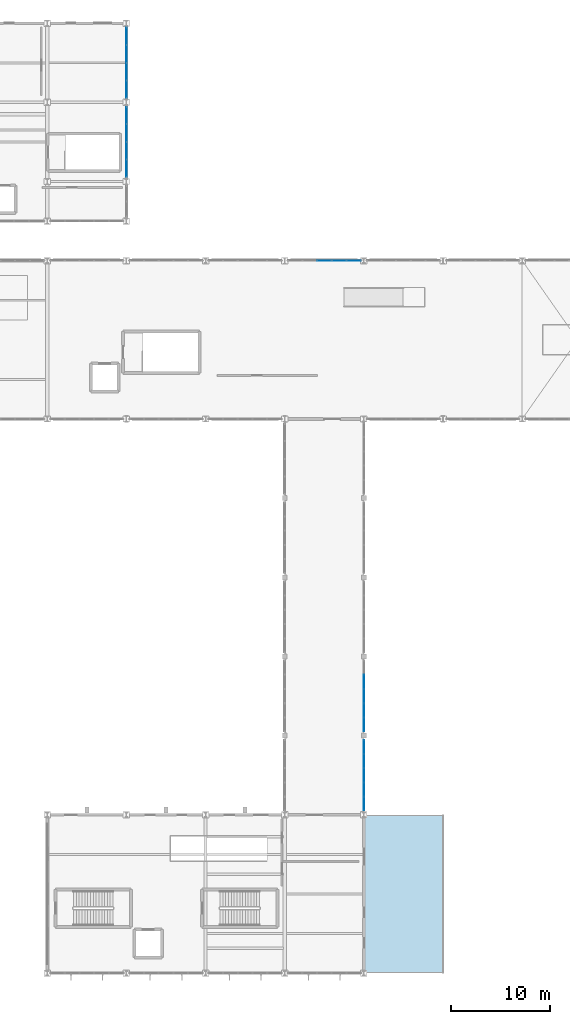
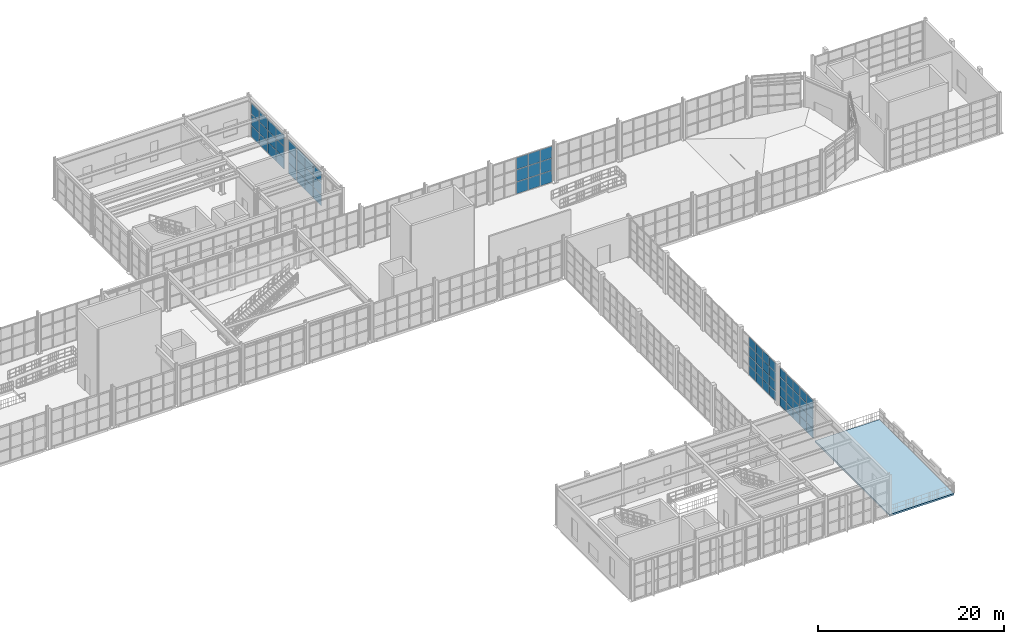
# One storey, part 59 of 82: 69 plates, 1 slab, 5 elements without a shape of their own.
"""IFC4 building model written with IfcOpenShell, lengths in metres."""

from ifc_helpers import new_model, si_unit, direction, frame, origin, origin_2d, place, context, subcontext, project, spatial, polyline, rectangle, outline, extrude, material, layer, layer_set, type_object, element, aggregate, save


model = new_model("IFC4")

# Units and contexts
model_context = context("Model", 3, precision=1e-05, world=origin(), true_north=direction((0.0, 1.0)))
body_context = subcontext(model_context, "Body", "Model", "MODEL_VIEW")
ifc_project = project(units=[si_unit("LENGTHUNIT", "METRE"), si_unit("AREAUNIT", "SQUARE_METRE"), si_unit("VOLUMEUNIT", "CUBIC_METRE"), si_unit("PLANEANGLEUNIT", "RADIAN"), si_unit("MASSUNIT", "GRAM", prefix="KILO")], contexts=[model_context])

# Site, building, storey
site_placement = place(None, origin())
site = spatial("IfcSite", under=ifc_project, at=site_placement, CompositionType="ELEMENT")
building_placement = place(site_placement, origin())
building = spatial("IfcBuilding", under=site, at=building_placement, Name="Serraluz Foothill Cableway Terminal", CompositionType="ELEMENT")
storey_placement = place(building_placement, frame((0.0, 0.0, 9.60009765625)))
storey = spatial("IfcBuildingStorey", under=building, at=storey_placement, Name="L02", CompositionType="ELEMENT", Elevation=9.60009765625)

# Curtain wall, plates
ifc_material_1 = material(Name="Architectural bronze alloy C28000", Category="aluminium")
curtain_wall_type_1 = type_object("IfcCurtainWallType", Name="TYP-CW-920X440", PredefinedType="NOTDEFINED", material=ifc_material_1)
curtain_wall_1_placement = place(storey_placement, origin())
curtain_wall_1 = element("IfcCurtainWall", 1, at=curtain_wall_1_placement, inside=storey, type_object=curtain_wall_type_1, Name="Ribbed Glazed Curtain Wall CW-V1N-L02-120", PredefinedType="NOTDEFINED")
ifc_material_2 = material(Name="Translucent ribbed laminated channel glass", Category="glass")
ifc_layer_1 = layer(ifc_material_2, 0.028076171875, Name="Translucent ribbed laminated channel glass", Category="glass")
ifc_layer_set_1 = layer_set([ifc_layer_1], Name="Translucent ribbed laminated channel glass")
plate_type = type_object("IfcPlateType", Name="TYP-CW-PNL-28", PredefinedType="CURTAIN_PANEL", material=ifc_layer_set_1)
plate_1_placement = place(storey_placement, frame((124.010498046875, 72.0, 0.06005859375), z_axis=(0.0, 0.0, 1.0), x_axis=(1.0, 0.0, 0.0)))
plate_1 = element("IfcPlate", 2, at=plate_1_placement, type_object=plate_type, Name="CW-20 panel 3.1", PredefinedType="CURTAIN_PANEL", context=body_context, shape_type="SweptSolid", body=[
    extrude(rectangle(XDim=1.423095703125, YDim=0.028076171875, at=origin_2d()), origin(), (0.0, 0.0, 1.0), 1.526611328125),
])
plate_2_placement = place(storey_placement, frame((124.010498046875, 72.0, 1.646484375), z_axis=(0.0, 0.0, 1.0), x_axis=(1.0, 0.0, 0.0)))
plate_2 = element("IfcPlate", 3, at=plate_2_placement, type_object=plate_type, Name="CW-20 panel 3.2", PredefinedType="CURTAIN_PANEL", context=body_context, shape_type="SweptSolid", body=[
    extrude(rectangle(XDim=1.423095703125, YDim=0.028076171875, at=origin_2d()), origin(), (0.0, 0.0, 1.0), 1.556640625),
])
plate_3_placement = place(storey_placement, frame((124.010498046875, 72.0, 3.26318359375), z_axis=(0.0, 0.0, 1.0), x_axis=(1.0, 0.0, 0.0)))
plate_3 = element("IfcPlate", 4, at=plate_3_placement, type_object=plate_type, Name="CW-20 panel 3.3", PredefinedType="CURTAIN_PANEL", context=body_context, shape_type="SweptSolid", body=[
    extrude(rectangle(XDim=1.423095703125, YDim=0.028076171875, at=origin_2d()), origin(), (0.0, 0.0, 1.0), 1.526611328125),
])
plate_4_placement = place(storey_placement, frame((125.49365234375, 72.0, 0.06005859375), z_axis=(0.0, 0.0, 1.0), x_axis=(1.0, 0.0, 0.0)))
plate_4 = element("IfcPlate", 5, at=plate_4_placement, type_object=plate_type, Name="CW-20 panel 4.1", PredefinedType="CURTAIN_PANEL", context=body_context, shape_type="SweptSolid", body=[
    extrude(rectangle(XDim=1.423095703125, YDim=0.028076171875, at=origin_2d()), origin(), (0.0, 0.0, 1.0), 1.526611328125),
])
plate_5_placement = place(storey_placement, frame((125.49365234375, 72.0, 1.646484375), z_axis=(0.0, 0.0, 1.0), x_axis=(1.0, 0.0, 0.0)))
plate_5 = element("IfcPlate", 6, at=plate_5_placement, type_object=plate_type, Name="CW-20 panel 4.2", PredefinedType="CURTAIN_PANEL", context=body_context, shape_type="SweptSolid", body=[
    extrude(rectangle(XDim=1.423095703125, YDim=0.028076171875, at=origin_2d()), origin(), (0.0, 0.0, 1.0), 1.556640625),
])
plate_6_placement = place(storey_placement, frame((125.49365234375, 72.0, 3.26318359375), z_axis=(0.0, 0.0, 1.0), x_axis=(1.0, 0.0, 0.0)))
plate_6 = element("IfcPlate", 7, at=plate_6_placement, type_object=plate_type, Name="CW-20 panel 4.3", PredefinedType="CURTAIN_PANEL", context=body_context, shape_type="SweptSolid", body=[
    extrude(rectangle(XDim=1.423095703125, YDim=0.028076171875, at=origin_2d()), origin(), (0.0, 0.0, 1.0), 1.526611328125),
])
plate_7_placement = place(storey_placement, frame((126.9619140625, 72.0, 0.06005859375), z_axis=(0.0, 0.0, 1.0), x_axis=(1.0, 0.0, 0.0)))
plate_7 = element("IfcPlate", 8, at=plate_7_placement, type_object=plate_type, Name="CW-20 panel 5.1", PredefinedType="CURTAIN_PANEL", context=body_context, shape_type="SweptSolid", body=[
    extrude(rectangle(XDim=1.393310546875, YDim=0.028076171875, at=origin_2d()), origin(), (0.0, 0.0, 1.0), 1.526611328125),
])
plate_8_placement = place(storey_placement, frame((126.9619140625, 72.0, 1.646484375), z_axis=(0.0, 0.0, 1.0), x_axis=(1.0, 0.0, 0.0)))
plate_8 = element("IfcPlate", 9, at=plate_8_placement, type_object=plate_type, Name="CW-20 panel 5.2", PredefinedType="CURTAIN_PANEL", context=body_context, shape_type="SweptSolid", body=[
    extrude(rectangle(XDim=1.393310546875, YDim=0.028076171875, at=origin_2d()), origin(), (0.0, 0.0, 1.0), 1.556640625),
])
plate_9_placement = place(storey_placement, frame((126.9619140625, 72.0, 3.26318359375), z_axis=(0.0, 0.0, 1.0), x_axis=(1.0, 0.0, 0.0)))
plate_9 = element("IfcPlate", 10, at=plate_9_placement, type_object=plate_type, Name="CW-20 panel 5.3", PredefinedType="CURTAIN_PANEL", context=body_context, shape_type="SweptSolid", body=[
    extrude(rectangle(XDim=1.393310546875, YDim=0.028076171875, at=origin_2d()), origin(), (0.0, 0.0, 1.0), 1.526611328125),
])
aggregate(curtain_wall_1, [plate_1, plate_2, plate_3, plate_4, plate_5, plate_6, plate_7, plate_8, plate_9])

curtain_wall_type_2 = type_object("IfcCurtainWallType", Name="TYP-CW-710X420", PredefinedType="NOTDEFINED", material=ifc_material_1)
curtain_wall_2_placement = place(storey_placement, origin())
curtain_wall_2 = element("IfcCurtainWall", 11, at=curtain_wall_2_placement, inside=storey, type_object=curtain_wall_type_2, Name="Ribbed Glazed Curtain Wall CW-CLE-L02-16", PredefinedType="NOTDEFINED")
plate_10_placement = place(storey_placement, frame((128.0, 22.87158203125, 0.059814453125), z_axis=(0.0, 0.0, 1.0), x_axis=(0.0, -1.0, 0.0)))
plate_10 = element("IfcPlate", 12, at=plate_10_placement, type_object=plate_type, Name="CW-01 panel 1.1", PredefinedType="CURTAIN_PANEL", context=body_context, shape_type="SweptSolid", body=[
    extrude(rectangle(XDim=1.356689453125, YDim=0.028076171875, at=origin_2d()), origin(), (0.0, 0.0, 1.0), 1.18505859375),
])
plate_11_placement = place(storey_placement, frame((128.0, 22.87158203125, 1.3046875), z_axis=(0.0, 0.0, 1.0), x_axis=(0.0, -1.0, 0.0)))
plate_11 = element("IfcPlate", 13, at=plate_11_placement, type_object=plate_type, Name="CW-01 panel 1.2", PredefinedType="CURTAIN_PANEL", context=body_context, shape_type="SweptSolid", body=[
    extrude(rectangle(XDim=1.356689453125, YDim=0.028076171875, at=origin_2d()), origin(), (0.0, 0.0, 1.0), 1.215087890625),
])
plate_12_placement = place(storey_placement, frame((128.0, 22.87158203125, 2.580078125), z_axis=(0.0, 0.0, 1.0), x_axis=(0.0, -1.0, 0.0)))
plate_12 = element("IfcPlate", 14, at=plate_12_placement, type_object=plate_type, Name="CW-01 panel 1.3", PredefinedType="CURTAIN_PANEL", context=body_context, shape_type="SweptSolid", body=[
    extrude(rectangle(XDim=1.356689453125, YDim=0.028076171875, at=origin_2d()), origin(), (0.0, 0.0, 1.0), 1.215087890625),
])
plate_13_placement = place(storey_placement, frame((128.0, 22.87158203125, 3.85498046875), z_axis=(0.0, 0.0, 1.0), x_axis=(0.0, -1.0, 0.0)))
plate_13 = element("IfcPlate", 15, at=plate_13_placement, type_object=plate_type, Name="CW-01 panel 1.4", PredefinedType="CURTAIN_PANEL", context=body_context, shape_type="SweptSolid", body=[
    extrude(rectangle(XDim=1.356689453125, YDim=0.028076171875, at=origin_2d()), origin(), (0.0, 0.0, 1.0), 1.18505859375),
])
plate_14_placement = place(storey_placement, frame((128.0, 21.439697265625, 0.059814453125), z_axis=(0.0, 0.0, 1.0), x_axis=(0.0, -1.0, 0.0)))
plate_14 = element("IfcPlate", 16, at=plate_14_placement, type_object=plate_type, Name="CW-01 panel 2.1", PredefinedType="CURTAIN_PANEL", context=body_context, shape_type="SweptSolid", body=[
    extrude(rectangle(XDim=1.38671875, YDim=0.028076171875, at=origin_2d()), origin(), (0.0, 0.0, 1.0), 1.18505859375),
])
plate_15_placement = place(storey_placement, frame((128.0, 21.439697265625, 1.3046875), z_axis=(0.0, 0.0, 1.0), x_axis=(0.0, -1.0, 0.0)))
plate_15 = element("IfcPlate", 17, at=plate_15_placement, type_object=plate_type, Name="CW-01 panel 2.2", PredefinedType="CURTAIN_PANEL", context=body_context, shape_type="SweptSolid", body=[
    extrude(rectangle(XDim=1.38671875, YDim=0.028076171875, at=origin_2d()), origin(), (0.0, 0.0, 1.0), 1.215087890625),
])
plate_16_placement = place(storey_placement, frame((128.0, 21.439697265625, 2.580078125), z_axis=(0.0, 0.0, 1.0), x_axis=(0.0, -1.0, 0.0)))
plate_16 = element("IfcPlate", 18, at=plate_16_placement, type_object=plate_type, Name="CW-01 panel 2.3", PredefinedType="CURTAIN_PANEL", context=body_context, shape_type="SweptSolid", body=[
    extrude(rectangle(XDim=1.38671875, YDim=0.028076171875, at=origin_2d()), origin(), (0.0, 0.0, 1.0), 1.215087890625),
])
plate_17_placement = place(storey_placement, frame((128.0, 21.439697265625, 3.85498046875), z_axis=(0.0, 0.0, 1.0), x_axis=(0.0, -1.0, 0.0)))
plate_17 = element("IfcPlate", 19, at=plate_17_placement, type_object=plate_type, Name="CW-01 panel 2.4", PredefinedType="CURTAIN_PANEL", context=body_context, shape_type="SweptSolid", body=[
    extrude(rectangle(XDim=1.38671875, YDim=0.028076171875, at=origin_2d()), origin(), (0.0, 0.0, 1.0), 1.18505859375),
])
plate_18_placement = place(storey_placement, frame((128.0, 19.992919921875, 0.059814453125), z_axis=(0.0, 0.0, 1.0), x_axis=(0.0, -1.0, 0.0)))
plate_18 = element("IfcPlate", 20, at=plate_18_placement, type_object=plate_type, Name="CW-01 panel 3.1", PredefinedType="CURTAIN_PANEL", context=body_context, shape_type="SweptSolid", body=[
    extrude(rectangle(XDim=1.38671875, YDim=0.028076171875, at=origin_2d()), origin(), (0.0, 0.0, 1.0), 1.18505859375),
])
plate_19_placement = place(storey_placement, frame((128.0, 19.992919921875, 1.3046875), z_axis=(0.0, 0.0, 1.0), x_axis=(0.0, -1.0, 0.0)))
plate_19 = element("IfcPlate", 21, at=plate_19_placement, type_object=plate_type, Name="CW-01 panel 3.2", PredefinedType="CURTAIN_PANEL", context=body_context, shape_type="SweptSolid", body=[
    extrude(rectangle(XDim=1.38671875, YDim=0.028076171875, at=origin_2d()), origin(), (0.0, 0.0, 1.0), 1.215087890625),
])
plate_20_placement = place(storey_placement, frame((128.0, 19.992919921875, 2.580078125), z_axis=(0.0, 0.0, 1.0), x_axis=(0.0, -1.0, 0.0)))
plate_20 = element("IfcPlate", 22, at=plate_20_placement, type_object=plate_type, Name="CW-01 panel 3.3", PredefinedType="CURTAIN_PANEL", context=body_context, shape_type="SweptSolid", body=[
    extrude(rectangle(XDim=1.38671875, YDim=0.028076171875, at=origin_2d()), origin(), (0.0, 0.0, 1.0), 1.215087890625),
])
plate_21_placement = place(storey_placement, frame((128.0, 19.992919921875, 3.85498046875), z_axis=(0.0, 0.0, 1.0), x_axis=(0.0, -1.0, 0.0)))
plate_21 = element("IfcPlate", 23, at=plate_21_placement, type_object=plate_type, Name="CW-01 panel 3.4", PredefinedType="CURTAIN_PANEL", context=body_context, shape_type="SweptSolid", body=[
    extrude(rectangle(XDim=1.38671875, YDim=0.028076171875, at=origin_2d()), origin(), (0.0, 0.0, 1.0), 1.18505859375),
])
plate_22_placement = place(storey_placement, frame((128.0, 18.546142578125, 0.059814453125), z_axis=(0.0, 0.0, 1.0), x_axis=(0.0, -1.0, 0.0)))
plate_22 = element("IfcPlate", 24, at=plate_22_placement, type_object=plate_type, Name="CW-01 panel 4.1", PredefinedType="CURTAIN_PANEL", context=body_context, shape_type="SweptSolid", body=[
    extrude(rectangle(XDim=1.38671875, YDim=0.028076171875, at=origin_2d()), origin(), (0.0, 0.0, 1.0), 1.18505859375),
])
plate_23_placement = place(storey_placement, frame((128.0, 18.546142578125, 1.3046875), z_axis=(0.0, 0.0, 1.0), x_axis=(0.0, -1.0, 0.0)))
plate_23 = element("IfcPlate", 25, at=plate_23_placement, type_object=plate_type, Name="CW-01 panel 4.2", PredefinedType="CURTAIN_PANEL", context=body_context, shape_type="SweptSolid", body=[
    extrude(rectangle(XDim=1.38671875, YDim=0.028076171875, at=origin_2d()), origin(), (0.0, 0.0, 1.0), 1.215087890625),
])
plate_24_placement = place(storey_placement, frame((128.0, 18.546142578125, 2.580078125), z_axis=(0.0, 0.0, 1.0), x_axis=(0.0, -1.0, 0.0)))
plate_24 = element("IfcPlate", 26, at=plate_24_placement, type_object=plate_type, Name="CW-01 panel 4.3", PredefinedType="CURTAIN_PANEL", context=body_context, shape_type="SweptSolid", body=[
    extrude(rectangle(XDim=1.38671875, YDim=0.028076171875, at=origin_2d()), origin(), (0.0, 0.0, 1.0), 1.215087890625),
])
plate_25_placement = place(storey_placement, frame((128.0, 18.546142578125, 3.85498046875), z_axis=(0.0, 0.0, 1.0), x_axis=(0.0, -1.0, 0.0)))
plate_25 = element("IfcPlate", 27, at=plate_25_placement, type_object=plate_type, Name="CW-01 panel 4.4", PredefinedType="CURTAIN_PANEL", context=body_context, shape_type="SweptSolid", body=[
    extrude(rectangle(XDim=1.38671875, YDim=0.028076171875, at=origin_2d()), origin(), (0.0, 0.0, 1.0), 1.18505859375),
])
plate_26_placement = place(storey_placement, frame((128.0, 17.114501953125, 0.059814453125), z_axis=(0.0, 0.0, 1.0), x_axis=(0.0, -1.0, 0.0)))
plate_26 = element("IfcPlate", 28, at=plate_26_placement, type_object=plate_type, Name="CW-01 panel 5.1", PredefinedType="CURTAIN_PANEL", context=body_context, shape_type="SweptSolid", body=[
    extrude(rectangle(XDim=1.356689453125, YDim=0.028076171875, at=origin_2d()), origin(), (0.0, 0.0, 1.0), 1.18505859375),
])
plate_27_placement = place(storey_placement, frame((128.0, 17.114501953125, 1.3046875), z_axis=(0.0, 0.0, 1.0), x_axis=(0.0, -1.0, 0.0)))
plate_27 = element("IfcPlate", 29, at=plate_27_placement, type_object=plate_type, Name="CW-01 panel 5.2", PredefinedType="CURTAIN_PANEL", context=body_context, shape_type="SweptSolid", body=[
    extrude(rectangle(XDim=1.356689453125, YDim=0.028076171875, at=origin_2d()), origin(), (0.0, 0.0, 1.0), 1.215087890625),
])
plate_28_placement = place(storey_placement, frame((128.0, 17.114501953125, 2.580078125), z_axis=(0.0, 0.0, 1.0), x_axis=(0.0, -1.0, 0.0)))
plate_28 = element("IfcPlate", 30, at=plate_28_placement, type_object=plate_type, Name="CW-01 panel 5.3", PredefinedType="CURTAIN_PANEL", context=body_context, shape_type="SweptSolid", body=[
    extrude(rectangle(XDim=1.356689453125, YDim=0.028076171875, at=origin_2d()), origin(), (0.0, 0.0, 1.0), 1.215087890625),
])
plate_29_placement = place(storey_placement, frame((128.0, 17.114501953125, 3.85498046875), z_axis=(0.0, 0.0, 1.0), x_axis=(0.0, -1.0, 0.0)))
plate_29 = element("IfcPlate", 31, at=plate_29_placement, type_object=plate_type, Name="CW-01 panel 5.4", PredefinedType="CURTAIN_PANEL", context=body_context, shape_type="SweptSolid", body=[
    extrude(rectangle(XDim=1.356689453125, YDim=0.028076171875, at=origin_2d()), origin(), (0.0, 0.0, 1.0), 1.18505859375),
])
aggregate(curtain_wall_2, [plate_10, plate_11, plate_12, plate_13, plate_14, plate_15, plate_16, plate_17, plate_18, plate_19, plate_20, plate_21, plate_22, plate_23, plate_24, plate_25, plate_26, plate_27, plate_28, plate_29])

curtain_wall_3_placement = place(storey_placement, origin())
curtain_wall_3 = element("IfcCurtainWall", 32, at=curtain_wall_3_placement, inside=storey, type_object=curtain_wall_type_2, Name="Ribbed Glazed Curtain Wall CW-CLE-L02-24", PredefinedType="NOTDEFINED")
plate_30_placement = place(storey_placement, frame((128.0, 29.444091796875, 0.059814453125), z_axis=(0.0, 0.0, 1.0), x_axis=(0.0, -1.0, 0.0)))
plate_30 = element("IfcPlate", 33, at=plate_30_placement, type_object=plate_type, Name="CW-01 panel 2.1", PredefinedType="CURTAIN_PANEL", context=body_context, shape_type="SweptSolid", body=[
    extrude(rectangle(XDim=1.384033203125, YDim=0.028076171875, at=origin_2d()), origin(), (0.0, 0.0, 1.0), 1.18505859375),
])
plate_31_placement = place(storey_placement, frame((128.0, 29.444091796875, 1.3046875), z_axis=(0.0, 0.0, 1.0), x_axis=(0.0, -1.0, 0.0)))
plate_31 = element("IfcPlate", 34, at=plate_31_placement, type_object=plate_type, Name="CW-01 panel 2.2", PredefinedType="CURTAIN_PANEL", context=body_context, shape_type="SweptSolid", body=[
    extrude(rectangle(XDim=1.384033203125, YDim=0.028076171875, at=origin_2d()), origin(), (0.0, 0.0, 1.0), 1.215087890625),
])
plate_32_placement = place(storey_placement, frame((128.0, 29.444091796875, 2.580078125), z_axis=(0.0, 0.0, 1.0), x_axis=(0.0, -1.0, 0.0)))
plate_32 = element("IfcPlate", 35, at=plate_32_placement, type_object=plate_type, Name="CW-01 panel 2.3", PredefinedType="CURTAIN_PANEL", context=body_context, shape_type="SweptSolid", body=[
    extrude(rectangle(XDim=1.384033203125, YDim=0.028076171875, at=origin_2d()), origin(), (0.0, 0.0, 1.0), 1.215087890625),
])
plate_33_placement = place(storey_placement, frame((128.0, 29.444091796875, 3.85498046875), z_axis=(0.0, 0.0, 1.0), x_axis=(0.0, -1.0, 0.0)))
plate_33 = element("IfcPlate", 36, at=plate_33_placement, type_object=plate_type, Name="CW-01 panel 2.4", PredefinedType="CURTAIN_PANEL", context=body_context, shape_type="SweptSolid", body=[
    extrude(rectangle(XDim=1.384033203125, YDim=0.028076171875, at=origin_2d()), origin(), (0.0, 0.0, 1.0), 1.18505859375),
])
plate_34_placement = place(storey_placement, frame((128.0, 28.0, 0.059814453125), z_axis=(0.0, 0.0, 1.0), x_axis=(0.0, -1.0, 0.0)))
plate_34 = element("IfcPlate", 37, at=plate_34_placement, type_object=plate_type, Name="CW-01 panel 3.1", PredefinedType="CURTAIN_PANEL", context=body_context, shape_type="SweptSolid", body=[
    extrude(rectangle(XDim=1.384033203125, YDim=0.028076171875, at=origin_2d()), origin(), (0.0, 0.0, 1.0), 1.18505859375),
])
plate_35_placement = place(storey_placement, frame((128.0, 28.0, 1.3046875), z_axis=(0.0, 0.0, 1.0), x_axis=(0.0, -1.0, 0.0)))
plate_35 = element("IfcPlate", 38, at=plate_35_placement, type_object=plate_type, Name="CW-01 panel 3.2", PredefinedType="CURTAIN_PANEL", context=body_context, shape_type="SweptSolid", body=[
    extrude(rectangle(XDim=1.384033203125, YDim=0.028076171875, at=origin_2d()), origin(), (0.0, 0.0, 1.0), 1.215087890625),
])
plate_36_placement = place(storey_placement, frame((128.0, 28.0, 2.580078125), z_axis=(0.0, 0.0, 1.0), x_axis=(0.0, -1.0, 0.0)))
plate_36 = element("IfcPlate", 39, at=plate_36_placement, type_object=plate_type, Name="CW-01 panel 3.3", PredefinedType="CURTAIN_PANEL", context=body_context, shape_type="SweptSolid", body=[
    extrude(rectangle(XDim=1.384033203125, YDim=0.028076171875, at=origin_2d()), origin(), (0.0, 0.0, 1.0), 1.215087890625),
])
plate_37_placement = place(storey_placement, frame((128.0, 28.0, 3.85498046875), z_axis=(0.0, 0.0, 1.0), x_axis=(0.0, -1.0, 0.0)))
plate_37 = element("IfcPlate", 40, at=plate_37_placement, type_object=plate_type, Name="CW-01 panel 3.4", PredefinedType="CURTAIN_PANEL", context=body_context, shape_type="SweptSolid", body=[
    extrude(rectangle(XDim=1.384033203125, YDim=0.028076171875, at=origin_2d()), origin(), (0.0, 0.0, 1.0), 1.18505859375),
])
plate_38_placement = place(storey_placement, frame((128.0, 26.555908203125, 0.059814453125), z_axis=(0.0, 0.0, 1.0), x_axis=(0.0, -1.0, 0.0)))
plate_38 = element("IfcPlate", 41, at=plate_38_placement, type_object=plate_type, Name="CW-01 panel 4.1", PredefinedType="CURTAIN_PANEL", context=body_context, shape_type="SweptSolid", body=[
    extrude(rectangle(XDim=1.384033203125, YDim=0.028076171875, at=origin_2d()), origin(), (0.0, 0.0, 1.0), 1.18505859375),
])
plate_39_placement = place(storey_placement, frame((128.0, 26.555908203125, 1.3046875), z_axis=(0.0, 0.0, 1.0), x_axis=(0.0, -1.0, 0.0)))
plate_39 = element("IfcPlate", 42, at=plate_39_placement, type_object=plate_type, Name="CW-01 panel 4.2", PredefinedType="CURTAIN_PANEL", context=body_context, shape_type="SweptSolid", body=[
    extrude(rectangle(XDim=1.384033203125, YDim=0.028076171875, at=origin_2d()), origin(), (0.0, 0.0, 1.0), 1.215087890625),
])
plate_40_placement = place(storey_placement, frame((128.0, 26.555908203125, 2.580078125), z_axis=(0.0, 0.0, 1.0), x_axis=(0.0, -1.0, 0.0)))
plate_40 = element("IfcPlate", 43, at=plate_40_placement, type_object=plate_type, Name="CW-01 panel 4.3", PredefinedType="CURTAIN_PANEL", context=body_context, shape_type="SweptSolid", body=[
    extrude(rectangle(XDim=1.384033203125, YDim=0.028076171875, at=origin_2d()), origin(), (0.0, 0.0, 1.0), 1.215087890625),
])
plate_41_placement = place(storey_placement, frame((128.0, 26.555908203125, 3.85498046875), z_axis=(0.0, 0.0, 1.0), x_axis=(0.0, -1.0, 0.0)))
plate_41 = element("IfcPlate", 44, at=plate_41_placement, type_object=plate_type, Name="CW-01 panel 4.4", PredefinedType="CURTAIN_PANEL", context=body_context, shape_type="SweptSolid", body=[
    extrude(rectangle(XDim=1.384033203125, YDim=0.028076171875, at=origin_2d()), origin(), (0.0, 0.0, 1.0), 1.18505859375),
])
plate_42_placement = place(storey_placement, frame((128.0, 25.126953125, 0.059814453125), z_axis=(0.0, 0.0, 1.0), x_axis=(0.0, -1.0, 0.0)))
plate_42 = element("IfcPlate", 45, at=plate_42_placement, type_object=plate_type, Name="CW-01 panel 5.1", PredefinedType="CURTAIN_PANEL", context=body_context, shape_type="SweptSolid", body=[
    extrude(rectangle(XDim=1.35400390625, YDim=0.028076171875, at=origin_2d()), origin(), (0.0, 0.0, 1.0), 1.18505859375),
])
plate_43_placement = place(storey_placement, frame((128.0, 25.126953125, 1.3046875), z_axis=(0.0, 0.0, 1.0), x_axis=(0.0, -1.0, 0.0)))
plate_43 = element("IfcPlate", 46, at=plate_43_placement, type_object=plate_type, Name="CW-01 panel 5.2", PredefinedType="CURTAIN_PANEL", context=body_context, shape_type="SweptSolid", body=[
    extrude(rectangle(XDim=1.35400390625, YDim=0.028076171875, at=origin_2d()), origin(), (0.0, 0.0, 1.0), 1.215087890625),
])
plate_44_placement = place(storey_placement, frame((128.0, 25.126953125, 2.580078125), z_axis=(0.0, 0.0, 1.0), x_axis=(0.0, -1.0, 0.0)))
plate_44 = element("IfcPlate", 47, at=plate_44_placement, type_object=plate_type, Name="CW-01 panel 5.3", PredefinedType="CURTAIN_PANEL", context=body_context, shape_type="SweptSolid", body=[
    extrude(rectangle(XDim=1.35400390625, YDim=0.028076171875, at=origin_2d()), origin(), (0.0, 0.0, 1.0), 1.215087890625),
])
plate_45_placement = place(storey_placement, frame((128.0, 25.126953125, 3.85498046875), z_axis=(0.0, 0.0, 1.0), x_axis=(0.0, -1.0, 0.0)))
plate_45 = element("IfcPlate", 48, at=plate_45_placement, type_object=plate_type, Name="CW-01 panel 5.4", PredefinedType="CURTAIN_PANEL", context=body_context, shape_type="SweptSolid", body=[
    extrude(rectangle(XDim=1.35400390625, YDim=0.028076171875, at=origin_2d()), origin(), (0.0, 0.0, 1.0), 1.18505859375),
])
aggregate(curtain_wall_3, [plate_30, plate_31, plate_32, plate_33, plate_34, plate_35, plate_36, plate_37, plate_38, plate_39, plate_40, plate_41, plate_42, plate_43, plate_44, plate_45])

curtain_wall_type_3 = type_object("IfcCurtainWallType", Name="TYP-CW-680X420", PredefinedType="NOTDEFINED", material=ifc_material_1)
curtain_wall_4_placement = place(storey_placement, origin())
curtain_wall_4 = element("IfcCurtainWall", 49, at=curtain_wall_4_placement, inside=storey, type_object=curtain_wall_type_3, Name="Ribbed Glazed Curtain Wall CW-V4E-L02-80", PredefinedType="NOTDEFINED")
plate_46_placement = place(storey_placement, frame((104.0, 86.67626953125, 0.059814453125), z_axis=(0.0, 0.0, 1.0), x_axis=(0.0, -1.0, 0.0)))
plate_46 = element("IfcPlate", 50, at=plate_46_placement, type_object=plate_type, Name="CW-13 panel 1.1", PredefinedType="CURTAIN_PANEL", context=body_context, shape_type="SweptSolid", body=[
    extrude(rectangle(XDim=1.704345703125, YDim=0.028076171875, at=origin_2d()), origin(), (0.0, 0.0, 1.0), 1.4248046875),
])
plate_47_placement = place(storey_placement, frame((104.0, 86.67626953125, 1.544677734375), z_axis=(0.0, 0.0, 1.0), x_axis=(0.0, -1.0, 0.0)))
plate_47 = element("IfcPlate", 51, at=plate_47_placement, type_object=plate_type, Name="CW-13 panel 1.2", PredefinedType="CURTAIN_PANEL", context=body_context, shape_type="SweptSolid", body=[
    extrude(rectangle(XDim=1.704345703125, YDim=0.028076171875, at=origin_2d()), origin(), (0.0, 0.0, 1.0), 1.45458984375),
])
plate_48_placement = place(storey_placement, frame((104.0, 86.67626953125, 3.05908203125), z_axis=(0.0, 0.0, 1.0), x_axis=(0.0, -1.0, 0.0)))
plate_48 = element("IfcPlate", 52, at=plate_48_placement, type_object=plate_type, Name="CW-13 panel 1.3", PredefinedType="CURTAIN_PANEL", context=body_context, shape_type="SweptSolid", body=[
    extrude(rectangle(XDim=1.704345703125, YDim=0.028076171875, at=origin_2d()), origin(), (0.0, 0.0, 1.0), 1.4248046875),
])
plate_49_placement = place(storey_placement, frame((104.0, 84.897216796875, 0.059814453125), z_axis=(0.0, 0.0, 1.0), x_axis=(0.0, -1.0, 0.0)))
plate_49 = element("IfcPlate", 53, at=plate_49_placement, type_object=plate_type, Name="CW-13 panel 2.1", PredefinedType="CURTAIN_PANEL", context=body_context, shape_type="SweptSolid", body=[
    extrude(rectangle(XDim=1.734130859375, YDim=0.028076171875, at=origin_2d()), origin(), (0.0, 0.0, 1.0), 1.4248046875),
])
plate_50_placement = place(storey_placement, frame((104.0, 84.897216796875, 1.544677734375), z_axis=(0.0, 0.0, 1.0), x_axis=(0.0, -1.0, 0.0)))
plate_50 = element("IfcPlate", 54, at=plate_50_placement, type_object=plate_type, Name="CW-13 panel 2.2", PredefinedType="CURTAIN_PANEL", context=body_context, shape_type="SweptSolid", body=[
    extrude(rectangle(XDim=1.734130859375, YDim=0.028076171875, at=origin_2d()), origin(), (0.0, 0.0, 1.0), 1.45458984375),
])
plate_51_placement = place(storey_placement, frame((104.0, 84.897216796875, 3.05908203125), z_axis=(0.0, 0.0, 1.0), x_axis=(0.0, -1.0, 0.0)))
plate_51 = element("IfcPlate", 55, at=plate_51_placement, type_object=plate_type, Name="CW-13 panel 2.3", PredefinedType="CURTAIN_PANEL", context=body_context, shape_type="SweptSolid", body=[
    extrude(rectangle(XDim=1.734130859375, YDim=0.028076171875, at=origin_2d()), origin(), (0.0, 0.0, 1.0), 1.4248046875),
])
plate_52_placement = place(storey_placement, frame((104.0, 83.102783203125, 0.059814453125), z_axis=(0.0, 0.0, 1.0), x_axis=(0.0, -1.0, 0.0)))
plate_52 = element("IfcPlate", 56, at=plate_52_placement, type_object=plate_type, Name="CW-13 panel 3.1", PredefinedType="CURTAIN_PANEL", context=body_context, shape_type="SweptSolid", body=[
    extrude(rectangle(XDim=1.734130859375, YDim=0.028076171875, at=origin_2d()), origin(), (0.0, 0.0, 1.0), 1.4248046875),
])
plate_53_placement = place(storey_placement, frame((104.0, 83.102783203125, 1.544677734375), z_axis=(0.0, 0.0, 1.0), x_axis=(0.0, -1.0, 0.0)))
plate_53 = element("IfcPlate", 57, at=plate_53_placement, type_object=plate_type, Name="CW-13 panel 3.2", PredefinedType="CURTAIN_PANEL", context=body_context, shape_type="SweptSolid", body=[
    extrude(rectangle(XDim=1.734130859375, YDim=0.028076171875, at=origin_2d()), origin(), (0.0, 0.0, 1.0), 1.45458984375),
])
plate_54_placement = place(storey_placement, frame((104.0, 83.102783203125, 3.05908203125), z_axis=(0.0, 0.0, 1.0), x_axis=(0.0, -1.0, 0.0)))
plate_54 = element("IfcPlate", 58, at=plate_54_placement, type_object=plate_type, Name="CW-13 panel 3.3", PredefinedType="CURTAIN_PANEL", context=body_context, shape_type="SweptSolid", body=[
    extrude(rectangle(XDim=1.734130859375, YDim=0.028076171875, at=origin_2d()), origin(), (0.0, 0.0, 1.0), 1.4248046875),
])
plate_55_placement = place(storey_placement, frame((104.0, 81.32373046875, 0.059814453125), z_axis=(0.0, 0.0, 1.0), x_axis=(0.0, -1.0, 0.0)))
plate_55 = element("IfcPlate", 59, at=plate_55_placement, type_object=plate_type, Name="CW-13 panel 4.1", PredefinedType="CURTAIN_PANEL", context=body_context, shape_type="SweptSolid", body=[
    extrude(rectangle(XDim=1.704345703125, YDim=0.028076171875, at=origin_2d()), origin(), (0.0, 0.0, 1.0), 1.4248046875),
])
plate_56_placement = place(storey_placement, frame((104.0, 81.32373046875, 1.544677734375), z_axis=(0.0, 0.0, 1.0), x_axis=(0.0, -1.0, 0.0)))
plate_56 = element("IfcPlate", 60, at=plate_56_placement, type_object=plate_type, Name="CW-13 panel 4.2", PredefinedType="CURTAIN_PANEL", context=body_context, shape_type="SweptSolid", body=[
    extrude(rectangle(XDim=1.704345703125, YDim=0.028076171875, at=origin_2d()), origin(), (0.0, 0.0, 1.0), 1.45458984375),
])
plate_57_placement = place(storey_placement, frame((104.0, 81.32373046875, 3.05908203125), z_axis=(0.0, 0.0, 1.0), x_axis=(0.0, -1.0, 0.0)))
plate_57 = element("IfcPlate", 61, at=plate_57_placement, type_object=plate_type, Name="CW-13 panel 4.3", PredefinedType="CURTAIN_PANEL", context=body_context, shape_type="SweptSolid", body=[
    extrude(rectangle(XDim=1.704345703125, YDim=0.028076171875, at=origin_2d()), origin(), (0.0, 0.0, 1.0), 1.4248046875),
])
aggregate(curtain_wall_4, [plate_46, plate_47, plate_48, plate_49, plate_50, plate_51, plate_52, plate_53, plate_54, plate_55, plate_56, plate_57])

curtain_wall_5_placement = place(storey_placement, origin())
curtain_wall_5 = element("IfcCurtainWall", 62, at=curtain_wall_5_placement, inside=storey, type_object=curtain_wall_type_3, Name="Ribbed Glazed Curtain Wall CW-V4E-L02-88", PredefinedType="NOTDEFINED")
plate_58_placement = place(storey_placement, frame((104.0, 94.67626953125, 0.059814453125), z_axis=(0.0, 0.0, 1.0), x_axis=(0.0, -1.0, 0.0)))
plate_58 = element("IfcPlate", 63, at=plate_58_placement, type_object=plate_type, Name="CW-13 panel 1.1", PredefinedType="CURTAIN_PANEL", context=body_context, shape_type="SweptSolid", body=[
    extrude(rectangle(XDim=1.704345703125, YDim=0.028076171875, at=origin_2d()), origin(), (0.0, 0.0, 1.0), 1.4248046875),
])
plate_59_placement = place(storey_placement, frame((104.0, 94.67626953125, 1.544677734375), z_axis=(0.0, 0.0, 1.0), x_axis=(0.0, -1.0, 0.0)))
plate_59 = element("IfcPlate", 64, at=plate_59_placement, type_object=plate_type, Name="CW-13 panel 1.2", PredefinedType="CURTAIN_PANEL", context=body_context, shape_type="SweptSolid", body=[
    extrude(rectangle(XDim=1.704345703125, YDim=0.028076171875, at=origin_2d()), origin(), (0.0, 0.0, 1.0), 1.45458984375),
])
plate_60_placement = place(storey_placement, frame((104.0, 94.67626953125, 3.05908203125), z_axis=(0.0, 0.0, 1.0), x_axis=(0.0, -1.0, 0.0)))
plate_60 = element("IfcPlate", 65, at=plate_60_placement, type_object=plate_type, Name="CW-13 panel 1.3", PredefinedType="CURTAIN_PANEL", context=body_context, shape_type="SweptSolid", body=[
    extrude(rectangle(XDim=1.704345703125, YDim=0.028076171875, at=origin_2d()), origin(), (0.0, 0.0, 1.0), 1.4248046875),
])
plate_61_placement = place(storey_placement, frame((104.0, 92.897216796875, 0.059814453125), z_axis=(0.0, 0.0, 1.0), x_axis=(0.0, -1.0, 0.0)))
plate_61 = element("IfcPlate", 66, at=plate_61_placement, type_object=plate_type, Name="CW-13 panel 2.1", PredefinedType="CURTAIN_PANEL", context=body_context, shape_type="SweptSolid", body=[
    extrude(rectangle(XDim=1.734130859375, YDim=0.028076171875, at=origin_2d()), origin(), (0.0, 0.0, 1.0), 1.4248046875),
])
plate_62_placement = place(storey_placement, frame((104.0, 92.897216796875, 1.544677734375), z_axis=(0.0, 0.0, 1.0), x_axis=(0.0, -1.0, 0.0)))
plate_62 = element("IfcPlate", 67, at=plate_62_placement, type_object=plate_type, Name="CW-13 panel 2.2", PredefinedType="CURTAIN_PANEL", context=body_context, shape_type="SweptSolid", body=[
    extrude(rectangle(XDim=1.734130859375, YDim=0.028076171875, at=origin_2d()), origin(), (0.0, 0.0, 1.0), 1.45458984375),
])
plate_63_placement = place(storey_placement, frame((104.0, 92.897216796875, 3.05908203125), z_axis=(0.0, 0.0, 1.0), x_axis=(0.0, -1.0, 0.0)))
plate_63 = element("IfcPlate", 68, at=plate_63_placement, type_object=plate_type, Name="CW-13 panel 2.3", PredefinedType="CURTAIN_PANEL", context=body_context, shape_type="SweptSolid", body=[
    extrude(rectangle(XDim=1.734130859375, YDim=0.028076171875, at=origin_2d()), origin(), (0.0, 0.0, 1.0), 1.4248046875),
])
plate_64_placement = place(storey_placement, frame((104.0, 91.102783203125, 0.059814453125), z_axis=(0.0, 0.0, 1.0), x_axis=(0.0, -1.0, 0.0)))
plate_64 = element("IfcPlate", 69, at=plate_64_placement, type_object=plate_type, Name="CW-13 panel 3.1", PredefinedType="CURTAIN_PANEL", context=body_context, shape_type="SweptSolid", body=[
    extrude(rectangle(XDim=1.734130859375, YDim=0.028076171875, at=origin_2d()), origin(), (0.0, 0.0, 1.0), 1.4248046875),
])
plate_65_placement = place(storey_placement, frame((104.0, 91.102783203125, 1.544677734375), z_axis=(0.0, 0.0, 1.0), x_axis=(0.0, -1.0, 0.0)))
plate_65 = element("IfcPlate", 70, at=plate_65_placement, type_object=plate_type, Name="CW-13 panel 3.2", PredefinedType="CURTAIN_PANEL", context=body_context, shape_type="SweptSolid", body=[
    extrude(rectangle(XDim=1.734130859375, YDim=0.028076171875, at=origin_2d()), origin(), (0.0, 0.0, 1.0), 1.45458984375),
])
plate_66_placement = place(storey_placement, frame((104.0, 91.102783203125, 3.05908203125), z_axis=(0.0, 0.0, 1.0), x_axis=(0.0, -1.0, 0.0)))
plate_66 = element("IfcPlate", 71, at=plate_66_placement, type_object=plate_type, Name="CW-13 panel 3.3", PredefinedType="CURTAIN_PANEL", context=body_context, shape_type="SweptSolid", body=[
    extrude(rectangle(XDim=1.734130859375, YDim=0.028076171875, at=origin_2d()), origin(), (0.0, 0.0, 1.0), 1.4248046875),
])
plate_67_placement = place(storey_placement, frame((104.0, 89.32373046875, 0.059814453125), z_axis=(0.0, 0.0, 1.0), x_axis=(0.0, -1.0, 0.0)))
plate_67 = element("IfcPlate", 72, at=plate_67_placement, type_object=plate_type, Name="CW-13 panel 4.1", PredefinedType="CURTAIN_PANEL", context=body_context, shape_type="SweptSolid", body=[
    extrude(rectangle(XDim=1.704345703125, YDim=0.028076171875, at=origin_2d()), origin(), (0.0, 0.0, 1.0), 1.4248046875),
])
plate_68_placement = place(storey_placement, frame((104.0, 89.32373046875, 1.544677734375), z_axis=(0.0, 0.0, 1.0), x_axis=(0.0, -1.0, 0.0)))
plate_68 = element("IfcPlate", 73, at=plate_68_placement, type_object=plate_type, Name="CW-13 panel 4.2", PredefinedType="CURTAIN_PANEL", context=body_context, shape_type="SweptSolid", body=[
    extrude(rectangle(XDim=1.704345703125, YDim=0.028076171875, at=origin_2d()), origin(), (0.0, 0.0, 1.0), 1.45458984375),
])
plate_69_placement = place(storey_placement, frame((104.0, 89.32373046875, 3.05908203125), z_axis=(0.0, 0.0, 1.0), x_axis=(0.0, -1.0, 0.0)))
plate_69 = element("IfcPlate", 74, at=plate_69_placement, type_object=plate_type, Name="CW-13 panel 4.3", PredefinedType="CURTAIN_PANEL", context=body_context, shape_type="SweptSolid", body=[
    extrude(rectangle(XDim=1.704345703125, YDim=0.028076171875, at=origin_2d()), origin(), (0.0, 0.0, 1.0), 1.4248046875),
])
aggregate(curtain_wall_5, [plate_58, plate_59, plate_60, plate_61, plate_62, plate_63, plate_64, plate_65, plate_66, plate_67, plate_68, plate_69])

# Slab
ifc_material_3 = material(Name="Precast concrete C40/50", Category="concrete")
ifc_layer_2 = layer(ifc_material_3, 0.219970703125, Name="Precast concrete C40/50", Category="concrete")
ifc_layer_set_2 = layer_set([ifc_layer_2], Name="Precast concrete C40/50")
slab_type = type_object("IfcSlabType", Name="TYP-SLB-TER-220", PredefinedType="FLOOR", material=ifc_layer_set_2)
slab_placement = place(storey_placement, frame((0.0, 0.0, -0.22021484375)))
element("IfcSlab", 75, at=slab_placement, inside=storey, type_object=slab_type, Name="Exterior Terrace or Apron Slab TER-L02-V3", PredefinedType="FLOOR", context=body_context, shape_type="SweptSolid", body=[
    extrude(outline(polyline([(128.0, 0.0), (136.0, 0.0), (136.0, 16.0), (128.0, 16.0), (128.0, 0.0)])), origin(), (0.0, 0.0, 1.0), 0.22021484375),
])

save(model, "model.ifc")
